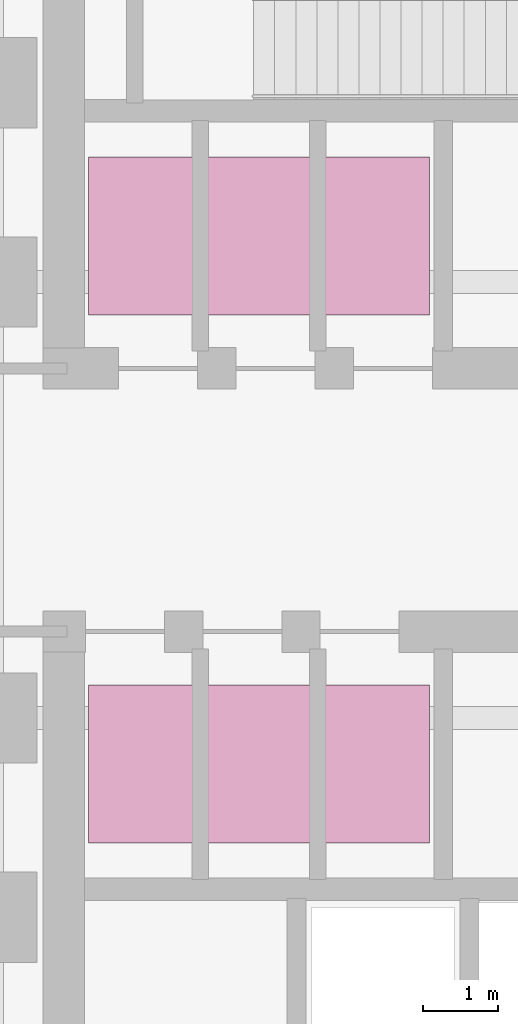
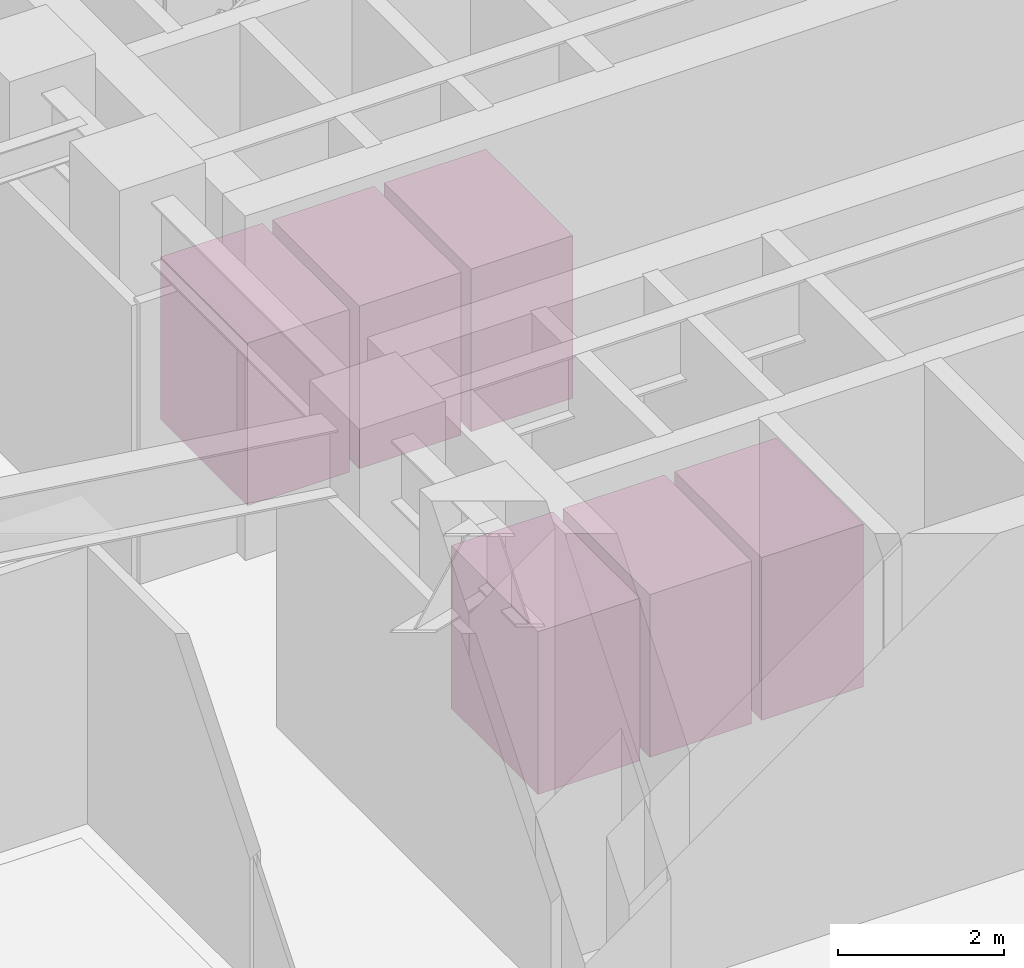
# One storey, part 20 of 20: 6 transport elements.
"""IFC4 building model written with IfcOpenShell, lengths in metres."""

from ifc_helpers import new_model, si_unit, direction, frame, origin, origin_2d, place, context, subcontext, project, spatial, rectangle, extrude, material, type_object, element, save


model = new_model("IFC4")

# Units and contexts
model_context = context("Model", 3, precision=1e-05, world=origin(), true_north=direction((0.0, 1.0)))
body_context = subcontext(model_context, "Body", "Model", "MODEL_VIEW")
ifc_project = project(units=[si_unit("LENGTHUNIT", "METRE"), si_unit("AREAUNIT", "SQUARE_METRE"), si_unit("VOLUMEUNIT", "CUBIC_METRE"), si_unit("PLANEANGLEUNIT", "RADIAN"), si_unit("MASSUNIT", "GRAM", prefix="KILO")], contexts=[model_context])

# Site, building, storey
site_placement = place(None, origin())
site = spatial("IfcSite", under=ifc_project, at=site_placement, CompositionType="ELEMENT")
building_placement = place(site_placement, origin())
building = spatial("IfcBuilding", under=site, at=building_placement, Name="Solmarez Civic Tower", CompositionType="ELEMENT")
storey_placement = place(building_placement, origin())
storey = spatial("IfcBuildingStorey", under=building, at=storey_placement, Name="L00", CompositionType="ELEMENT", Elevation=0.0)

# Transport elements
ifc_material = material(Name="Brushed Bronze and Stainless Steel Elevator Cab", Category="steel")
transport_element_type = type_object("IfcTransportElementType", Name="LIFT-PAX-1420X2100", PredefinedType="ELEVATOR", material=ifc_material)
for number, where, z_axis, x_axis, name in (
    (1, (-6.860107421875, -3.510009765625, 0.0), (0.0, 0.0, 1.0), (1.0, 0.0, 0.0), "Elevator Car PL-M1"),
    (2, (-5.300048828125, -3.510009765625, 0.0), (0.0, 0.0, 1.0), (1.0, 0.0, 0.0), "Elevator Car PL-M2"),
    (3, (-3.739990234375, -3.510009765625, 0.0), (0.0, 0.0, 1.0), (1.0, 0.0, 0.0), "Elevator Car PL-M3"),
    (4, (-6.860107421875, 3.510009765625, 0.0), (0.0, 0.0, 1.0), (1.0, 0.0, 0.0), "Elevator Car PL-H1"),
    (5, (-5.300048828125, 3.510009765625, 0.0), (0.0, 0.0, 1.0), (1.0, 0.0, 0.0), "Elevator Car PL-H2"),
    (6, (-3.739990234375, 3.510009765625, 0.0), (0.0, 0.0, 1.0), (1.0, 0.0, 0.0), "Elevator Car PL-H3"),
):
    element("IfcTransportElement", number, at=place(storey_placement, frame(where, z_axis=z_axis, x_axis=x_axis)), inside=storey, type_object=transport_element_type, Name=name, PredefinedType="ELEVATOR", context=body_context, shape_type="SweptSolid", body=[
        extrude(rectangle(XDim=1.419921875, YDim=2.10009765625, at=origin_2d()), origin(), (0.0, 0.0, 1.0), 2.39990234375),
    ])

save(model, "model.ifc")
